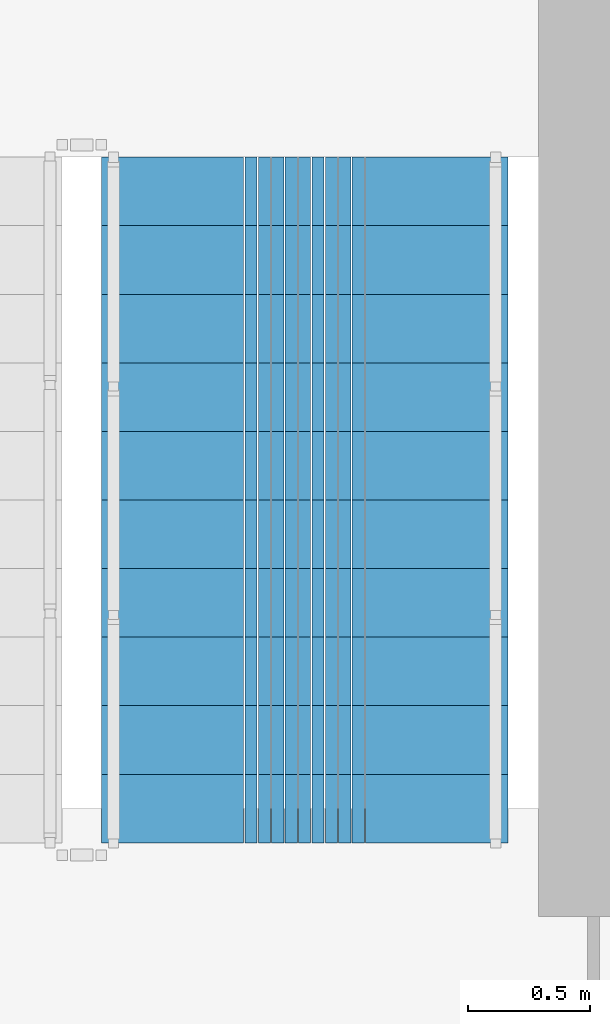
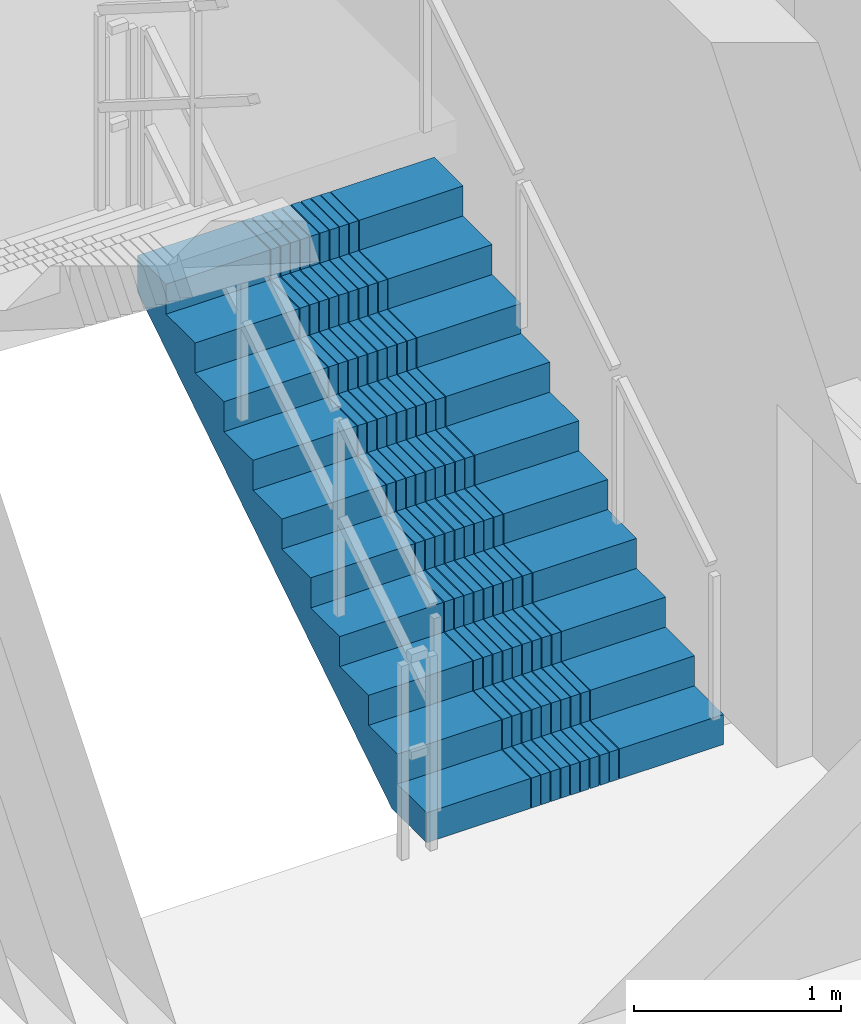
# One storey, part 9 of 14: 1 stair flight, 1 element without a shape of its own.
"""IFC4 building model written with IfcOpenShell, lengths in metres."""

from ifc_helpers import new_model, si_unit, direction, frame, origin, place, context, subcontext, project, spatial, polyline, outline, extrude, material, type_object, element, aggregate, save


model = new_model("IFC4")

# Units and contexts
model_context = context("Model", 3, precision=1e-05, world=origin(), true_north=direction((0.0, 1.0)))
body_context = subcontext(model_context, "Body", "Model", "MODEL_VIEW")
ifc_project = project(units=[si_unit("LENGTHUNIT", "METRE"), si_unit("AREAUNIT", "SQUARE_METRE"), si_unit("VOLUMEUNIT", "CUBIC_METRE"), si_unit("PLANEANGLEUNIT", "RADIAN"), si_unit("MASSUNIT", "GRAM", prefix="KILO")], contexts=[model_context])

# Site, building, storey
site_placement = place(None, origin())
site = spatial("IfcSite", under=ifc_project, at=site_placement, CompositionType="ELEMENT")
building_placement = place(site_placement, origin())
building = spatial("IfcBuilding", under=site, at=building_placement, Name="Saelheon Loggia Tower", CompositionType="ELEMENT")
storey_placement = place(building_placement, frame((0.0, 0.0, 202.60009765625)))
storey = spatial("IfcBuildingStorey", under=building, at=storey_placement, Name="L63", CompositionType="ELEMENT", Elevation=202.60009765625)

# Stair, stair flight
ifc_material = material(Name="Concrete C40/50", Category="concrete")
stair_type = type_object("IfcStairType", Name="Stair_Escape_Core", PredefinedType="HALF_TURN_STAIR", material=ifc_material)
stair_placement = place(storey_placement, origin())
stair = element("IfcStair", 1, at=stair_placement, inside=storey, type_object=stair_type, Name="L63 Special Escape Stair ST2", PredefinedType="HALF_TURN_STAIR")
stair_flight_type = type_object("IfcStairFlightType", Name="StairFlight_Tower_1660", PredefinedType="STRAIGHT", material=ifc_material)
stair_flight_placement = place(storey_placement, frame((43.320068359375, 30.449951171875, 0.0), z_axis=(0.0, 0.0, 1.0), x_axis=(0.0, 1.0, 0.0)))
stair_flight = element("IfcStairFlight", 2, at=stair_flight_placement, type_object=stair_flight_type, Name="ST2 flight 1", NumberOfRisers=11, NumberOfTreads=10, PredefinedType="STRAIGHT", RiserHeight=0.177272727, TreadLength=0.28, context=body_context, shape_type="SweptSolid", body=[
    extrude(outline(polyline([(0.0, 0.0), (0.0, 0.17724609375), (0.280029296875, 0.17724609375), (0.280029296875, 0.3544921875), (0.56005859375, 0.3544921875), (0.56005859375, 0.53173828125), (0.840087890625, 0.53173828125), (0.840087890625, 0.708984375), (1.1201171875, 0.708984375), (1.1201171875, 0.886474609375), (1.39990234375, 0.886474609375), (1.39990234375, 1.063720703125), (1.679931640625, 1.063720703125), (1.679931640625, 1.240966796875), (1.9599609375, 1.240966796875), (1.9599609375, 1.418212890625), (2.239990234375, 1.418212890625), (2.239990234375, 1.595458984375), (2.52001953125, 1.595458984375), (2.52001953125, 1.772705078125), (2.800048828125, 1.772705078125), (2.800048828125, 1.949951171875), (2.800048828125, 1.559814453125), (0.33642578125, 0.0), (0.0, 0.0)])), frame((0.0, -0.2490234375, 0.0), z_axis=(0.0, -1.0, 0.0), x_axis=(1.0, 0.0, 0.0)), (0.0, 0.0, 1.0), 0.5810546875),
    extrude(outline(polyline([(0.0, 0.0), (0.0, 0.17724609375), (0.280029296875, 0.17724609375), (0.280029296875, 0.3544921875), (0.56005859375, 0.3544921875), (0.56005859375, 0.53173828125), (0.840087890625, 0.53173828125), (0.840087890625, 0.708984375), (1.1201171875, 0.708984375), (1.1201171875, 0.886474609375), (1.39990234375, 0.886474609375), (1.39990234375, 1.063720703125), (1.679931640625, 1.063720703125), (1.679931640625, 1.240966796875), (1.9599609375, 1.240966796875), (1.9599609375, 1.418212890625), (2.239990234375, 1.418212890625), (2.239990234375, 1.595458984375), (2.52001953125, 1.595458984375), (2.52001953125, 1.772705078125), (2.800048828125, 1.772705078125), (2.800048828125, 1.949951171875), (2.800048828125, 1.559814453125), (0.33642578125, 0.0), (0.0, 0.0)])), frame((0.0, -0.194091796875, 0.0), z_axis=(0.0, -1.0, 0.0), x_axis=(1.0, 0.0, 0.0)), (0.0, 0.0, 1.0), 0.0498046875),
    extrude(outline(polyline([(0.0, 0.0), (0.0, 0.17724609375), (0.280029296875, 0.17724609375), (0.280029296875, 0.3544921875), (0.56005859375, 0.3544921875), (0.56005859375, 0.53173828125), (0.840087890625, 0.53173828125), (0.840087890625, 0.708984375), (1.1201171875, 0.708984375), (1.1201171875, 0.886474609375), (1.39990234375, 0.886474609375), (1.39990234375, 1.063720703125), (1.679931640625, 1.063720703125), (1.679931640625, 1.240966796875), (1.9599609375, 1.240966796875), (1.9599609375, 1.418212890625), (2.239990234375, 1.418212890625), (2.239990234375, 1.595458984375), (2.52001953125, 1.595458984375), (2.52001953125, 1.772705078125), (2.800048828125, 1.772705078125), (2.800048828125, 1.949951171875), (2.800048828125, 1.559814453125), (0.33642578125, 0.0), (0.0, 0.0)])), frame((0.0, -0.139404296875, 0.0), z_axis=(0.0, -1.0, 0.0), x_axis=(1.0, 0.0, 0.0)), (0.0, 0.0, 1.0), 0.0498046875),
    extrude(outline(polyline([(0.0, 0.0), (0.0, 0.17724609375), (0.280029296875, 0.17724609375), (0.280029296875, 0.3544921875), (0.56005859375, 0.3544921875), (0.56005859375, 0.53173828125), (0.840087890625, 0.53173828125), (0.840087890625, 0.708984375), (1.1201171875, 0.708984375), (1.1201171875, 0.886474609375), (1.39990234375, 0.886474609375), (1.39990234375, 1.063720703125), (1.679931640625, 1.063720703125), (1.679931640625, 1.240966796875), (1.9599609375, 1.240966796875), (1.9599609375, 1.418212890625), (2.239990234375, 1.418212890625), (2.239990234375, 1.595458984375), (2.52001953125, 1.595458984375), (2.52001953125, 1.772705078125), (2.800048828125, 1.772705078125), (2.800048828125, 1.949951171875), (2.800048828125, 1.559814453125), (0.33642578125, 0.0), (0.0, 0.0)])), frame((0.0, -0.084716796875, 0.0), z_axis=(0.0, -1.0, 0.0), x_axis=(1.0, 0.0, 0.0)), (0.0, 0.0, 1.0), 0.0498046875),
    extrude(outline(polyline([(0.0, 0.0), (0.0, 0.17724609375), (0.280029296875, 0.17724609375), (0.280029296875, 0.3544921875), (0.56005859375, 0.3544921875), (0.56005859375, 0.53173828125), (0.840087890625, 0.53173828125), (0.840087890625, 0.708984375), (1.1201171875, 0.708984375), (1.1201171875, 0.886474609375), (1.39990234375, 0.886474609375), (1.39990234375, 1.063720703125), (1.679931640625, 1.063720703125), (1.679931640625, 1.240966796875), (1.9599609375, 1.240966796875), (1.9599609375, 1.418212890625), (2.239990234375, 1.418212890625), (2.239990234375, 1.595458984375), (2.52001953125, 1.595458984375), (2.52001953125, 1.772705078125), (2.800048828125, 1.772705078125), (2.800048828125, 1.949951171875), (2.800048828125, 1.559814453125), (0.33642578125, 0.0), (0.0, 0.0)])), frame((0.0, -0.02978515625, 0.0), z_axis=(0.0, -1.0, 0.0), x_axis=(1.0, 0.0, 0.0)), (0.0, 0.0, 1.0), 0.0498046875),
    extrude(outline(polyline([(0.0, 0.0), (0.0, 0.17724609375), (0.280029296875, 0.17724609375), (0.280029296875, 0.3544921875), (0.56005859375, 0.3544921875), (0.56005859375, 0.53173828125), (0.840087890625, 0.53173828125), (0.840087890625, 0.708984375), (1.1201171875, 0.708984375), (1.1201171875, 0.886474609375), (1.39990234375, 0.886474609375), (1.39990234375, 1.063720703125), (1.679931640625, 1.063720703125), (1.679931640625, 1.240966796875), (1.9599609375, 1.240966796875), (1.9599609375, 1.418212890625), (2.239990234375, 1.418212890625), (2.239990234375, 1.595458984375), (2.52001953125, 1.595458984375), (2.52001953125, 1.772705078125), (2.800048828125, 1.772705078125), (2.800048828125, 1.949951171875), (2.800048828125, 1.559814453125), (0.33642578125, 0.0), (0.0, 0.0)])), frame((0.0, 0.02490234375, 0.0), z_axis=(0.0, -1.0, 0.0), x_axis=(1.0, 0.0, 0.0)), (0.0, 0.0, 1.0), 0.0498046875),
    extrude(outline(polyline([(0.0, 0.0), (0.0, 0.17724609375), (0.280029296875, 0.17724609375), (0.280029296875, 0.3544921875), (0.56005859375, 0.3544921875), (0.56005859375, 0.53173828125), (0.840087890625, 0.53173828125), (0.840087890625, 0.708984375), (1.1201171875, 0.708984375), (1.1201171875, 0.886474609375), (1.39990234375, 0.886474609375), (1.39990234375, 1.063720703125), (1.679931640625, 1.063720703125), (1.679931640625, 1.240966796875), (1.9599609375, 1.240966796875), (1.9599609375, 1.418212890625), (2.239990234375, 1.418212890625), (2.239990234375, 1.595458984375), (2.52001953125, 1.595458984375), (2.52001953125, 1.772705078125), (2.800048828125, 1.772705078125), (2.800048828125, 1.949951171875), (2.800048828125, 1.559814453125), (0.33642578125, 0.0), (0.0, 0.0)])), frame((0.0, 0.07958984375, 0.0), z_axis=(0.0, -1.0, 0.0), x_axis=(1.0, 0.0, 0.0)), (0.0, 0.0, 1.0), 0.0498046875),
    extrude(outline(polyline([(0.0, 0.0), (0.0, 0.17724609375), (0.280029296875, 0.17724609375), (0.280029296875, 0.3544921875), (0.56005859375, 0.3544921875), (0.56005859375, 0.53173828125), (0.840087890625, 0.53173828125), (0.840087890625, 0.708984375), (1.1201171875, 0.708984375), (1.1201171875, 0.886474609375), (1.39990234375, 0.886474609375), (1.39990234375, 1.063720703125), (1.679931640625, 1.063720703125), (1.679931640625, 1.240966796875), (1.9599609375, 1.240966796875), (1.9599609375, 1.418212890625), (2.239990234375, 1.418212890625), (2.239990234375, 1.595458984375), (2.52001953125, 1.595458984375), (2.52001953125, 1.772705078125), (2.800048828125, 1.772705078125), (2.800048828125, 1.949951171875), (2.800048828125, 1.559814453125), (0.33642578125, 0.0), (0.0, 0.0)])), frame((0.0, 0.134521484375, 0.0), z_axis=(0.0, -1.0, 0.0), x_axis=(1.0, 0.0, 0.0)), (0.0, 0.0, 1.0), 0.0498046875),
    extrude(outline(polyline([(0.0, 0.0), (0.0, 0.17724609375), (0.280029296875, 0.17724609375), (0.280029296875, 0.3544921875), (0.56005859375, 0.3544921875), (0.56005859375, 0.53173828125), (0.840087890625, 0.53173828125), (0.840087890625, 0.708984375), (1.1201171875, 0.708984375), (1.1201171875, 0.886474609375), (1.39990234375, 0.886474609375), (1.39990234375, 1.063720703125), (1.679931640625, 1.063720703125), (1.679931640625, 1.240966796875), (1.9599609375, 1.240966796875), (1.9599609375, 1.418212890625), (2.239990234375, 1.418212890625), (2.239990234375, 1.595458984375), (2.52001953125, 1.595458984375), (2.52001953125, 1.772705078125), (2.800048828125, 1.772705078125), (2.800048828125, 1.949951171875), (2.800048828125, 1.559814453125), (0.33642578125, 0.0), (0.0, 0.0)])), frame((0.0, 0.189208984375, 0.0), z_axis=(0.0, -1.0, 0.0), x_axis=(1.0, 0.0, 0.0)), (0.0, 0.0, 1.0), 0.0498046875),
    extrude(outline(polyline([(0.0, 0.0), (0.0, 0.17724609375), (0.280029296875, 0.17724609375), (0.280029296875, 0.3544921875), (0.56005859375, 0.3544921875), (0.56005859375, 0.53173828125), (0.840087890625, 0.53173828125), (0.840087890625, 0.708984375), (1.1201171875, 0.708984375), (1.1201171875, 0.886474609375), (1.39990234375, 0.886474609375), (1.39990234375, 1.063720703125), (1.679931640625, 1.063720703125), (1.679931640625, 1.240966796875), (1.9599609375, 1.240966796875), (1.9599609375, 1.418212890625), (2.239990234375, 1.418212890625), (2.239990234375, 1.595458984375), (2.52001953125, 1.595458984375), (2.52001953125, 1.772705078125), (2.800048828125, 1.772705078125), (2.800048828125, 1.949951171875), (2.800048828125, 1.559814453125), (0.33642578125, 0.0), (0.0, 0.0)])), frame((0.0, 0.243896484375, 0.0), z_axis=(0.0, -1.0, 0.0), x_axis=(1.0, 0.0, 0.0)), (0.0, 0.0, 1.0), 0.0498046875),
    extrude(outline(polyline([(0.0, 0.0), (0.0, 0.17724609375), (0.280029296875, 0.17724609375), (0.280029296875, 0.3544921875), (0.56005859375, 0.3544921875), (0.56005859375, 0.53173828125), (0.840087890625, 0.53173828125), (0.840087890625, 0.708984375), (1.1201171875, 0.708984375), (1.1201171875, 0.886474609375), (1.39990234375, 0.886474609375), (1.39990234375, 1.063720703125), (1.679931640625, 1.063720703125), (1.679931640625, 1.240966796875), (1.9599609375, 1.240966796875), (1.9599609375, 1.418212890625), (2.239990234375, 1.418212890625), (2.239990234375, 1.595458984375), (2.52001953125, 1.595458984375), (2.52001953125, 1.772705078125), (2.800048828125, 1.772705078125), (2.800048828125, 1.949951171875), (2.800048828125, 1.559814453125), (0.33642578125, 0.0), (0.0, 0.0)])), frame((0.0, 0.830078125, 0.0), z_axis=(0.0, -1.0, 0.0), x_axis=(1.0, 0.0, 0.0)), (0.0, 0.0, 1.0), 0.5810546875),
])
aggregate(stair, [stair_flight])

save(model, "model.ifc")
